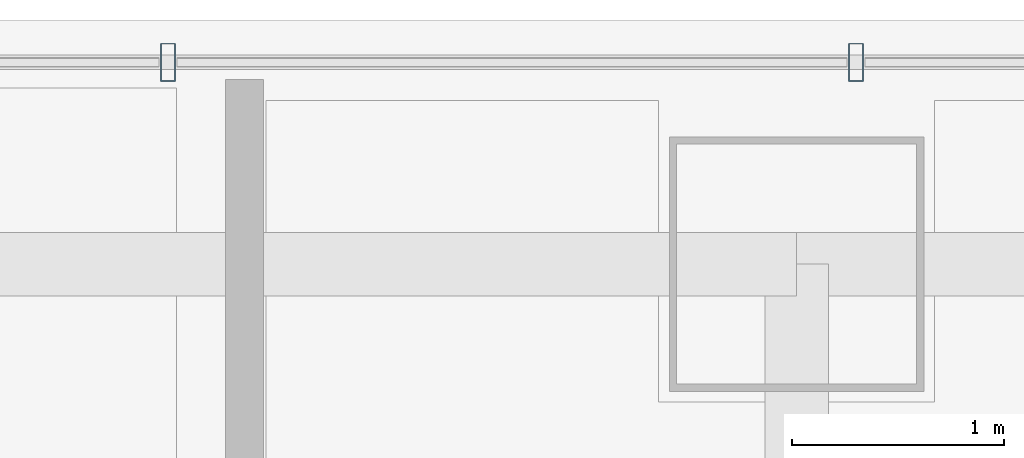
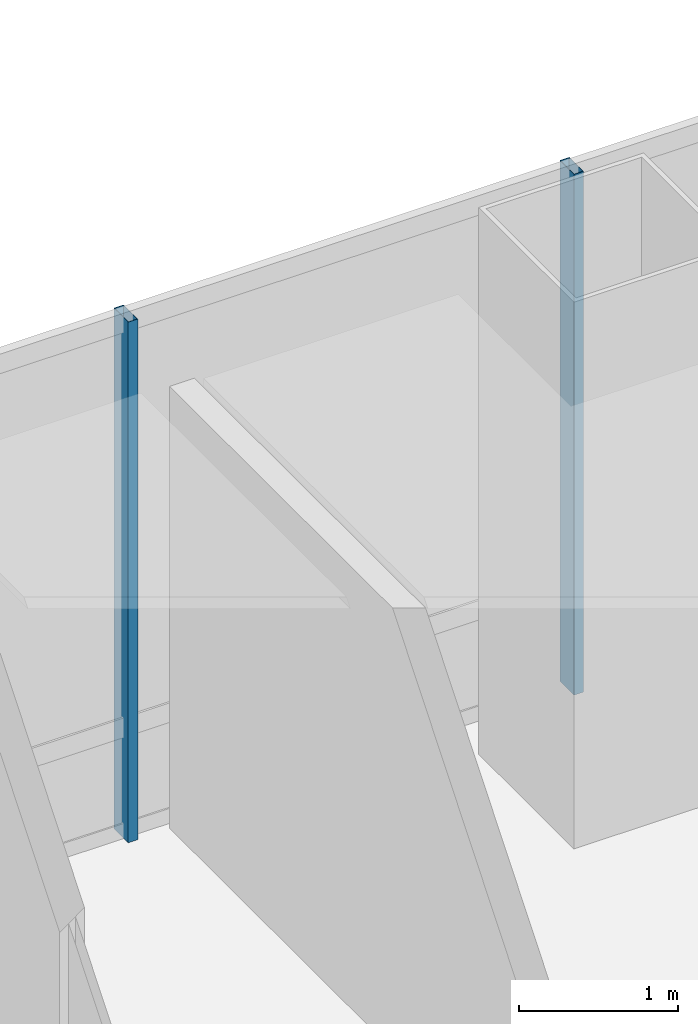
# One storey, part 29 of 43: 2 members, 1 element without a shape of its own.
"""IFC4 building model written with IfcOpenShell, lengths in metres."""

from ifc_helpers import new_model, si_unit, direction, frame, origin, origin_2d, place, context, subcontext, project, spatial, hollow_rectangle, extrude, material, material_profile, profile_set, type_object, element, aggregate, save


model = new_model("IFC4")

# Units and contexts
model_context = context("Model", 3, precision=1e-05, world=origin(), true_north=direction((0.0, 1.0)))
body_context = subcontext(model_context, "Body", "Model", "MODEL_VIEW")
ifc_project = project(units=[si_unit("LENGTHUNIT", "METRE"), si_unit("AREAUNIT", "SQUARE_METRE"), si_unit("VOLUMEUNIT", "CUBIC_METRE"), si_unit("PLANEANGLEUNIT", "RADIAN"), si_unit("MASSUNIT", "GRAM", prefix="KILO")], contexts=[model_context])

# Site, building, storey
site_placement = place(None, origin())
site = spatial("IfcSite", under=ifc_project, at=site_placement, CompositionType="ELEMENT")
building_placement = place(site_placement, origin())
building = spatial("IfcBuilding", under=site, at=building_placement, Name="Punatoya Terracotta Tower", CompositionType="ELEMENT")
storey_placement = place(building_placement, frame((0.0, 0.0, 321.60009765625)))
storey = spatial("IfcBuildingStorey", under=building, at=storey_placement, Name="L76", CompositionType="ELEMENT", Elevation=321.60009765625)

# Curtain wall, members
ifc_material_1 = material(Name="Aluminium 6063-T6 + Double Low-E Glass", Category="aluminium")
curtain_wall_type = type_object("IfcCurtainWallType", Name="CW-OBS", PredefinedType="NOTDEFINED", material=ifc_material_1)
curtain_wall_placement = place(storey_placement, origin())
curtain_wall = element("IfcCurtainWall", 1, at=curtain_wall_placement, inside=storey, type_object=curtain_wall_type, Name="L76 Curtain Wall CW-L76-N09-1", PredefinedType="NOTDEFINED")
ifc_material_2 = material(Name="Aluminium 6063-T6", Category="aluminium")
ifc_material_profile = material_profile(ifc_material_2, hollow_rectangle(XDim=0.070068359375, YDim=0.179931640625, WallThickness=0.00390625, at=origin_2d()))
ifc_profile_set = profile_set([ifc_material_profile], Name="Aluminium 6063-T6")
member_type = type_object("IfcMemberType", Name="CW-MUL-M3", PredefinedType="MULLION", material=ifc_profile_set)
member_1_placement = place(storey_placement, frame((4.0791015625, 18.449951171875, 0.0), z_axis=(0.0, 0.0, 1.0), x_axis=(1.0, 0.0, 0.0)))
member_1 = element("IfcMember", 2, at=member_1_placement, type_object=member_type, Name="CW-L76-N09-1 Mullion 04", PredefinedType="MULLION", context=body_context, shape_type="SweptSolid", body=[
    extrude(hollow_rectangle(XDim=0.070068359375, YDim=0.179931640625, WallThickness=0.00390625, at=origin_2d()), origin(), (0.0, 0.0, 1.0), 4.0),
])
member_2_placement = place(storey_placement, frame((0.839599609375, 18.449951171875, 0.0), z_axis=(0.0, 0.0, 1.0), x_axis=(1.0, 0.0, 0.0)))
member_2 = element("IfcMember", 3, at=member_2_placement, type_object=member_type, Name="CW-L76-N09-1 Mullion 05", PredefinedType="MULLION", context=body_context, shape_type="SweptSolid", body=[
    extrude(hollow_rectangle(XDim=0.070068359375, YDim=0.179931640625, WallThickness=0.00390625, at=origin_2d()), origin(), (0.0, 0.0, 1.0), 4.0),
])
aggregate(curtain_wall, [member_1, member_2])

save(model, "model.ifc")
